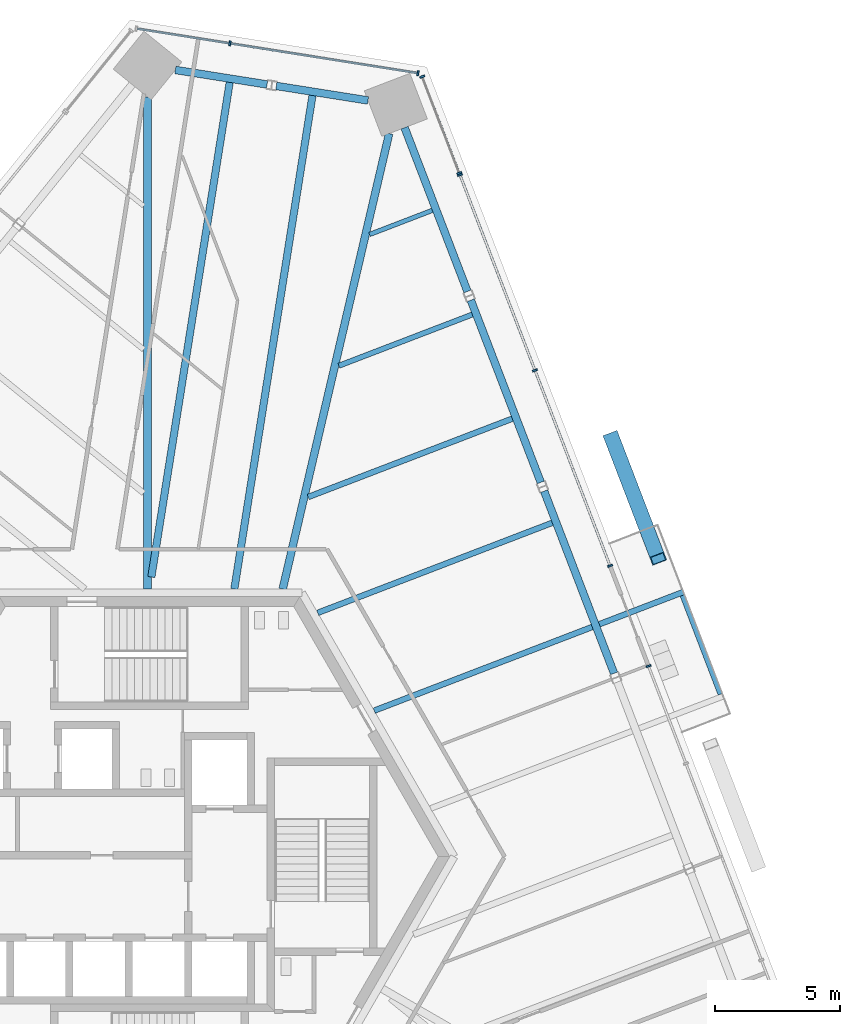
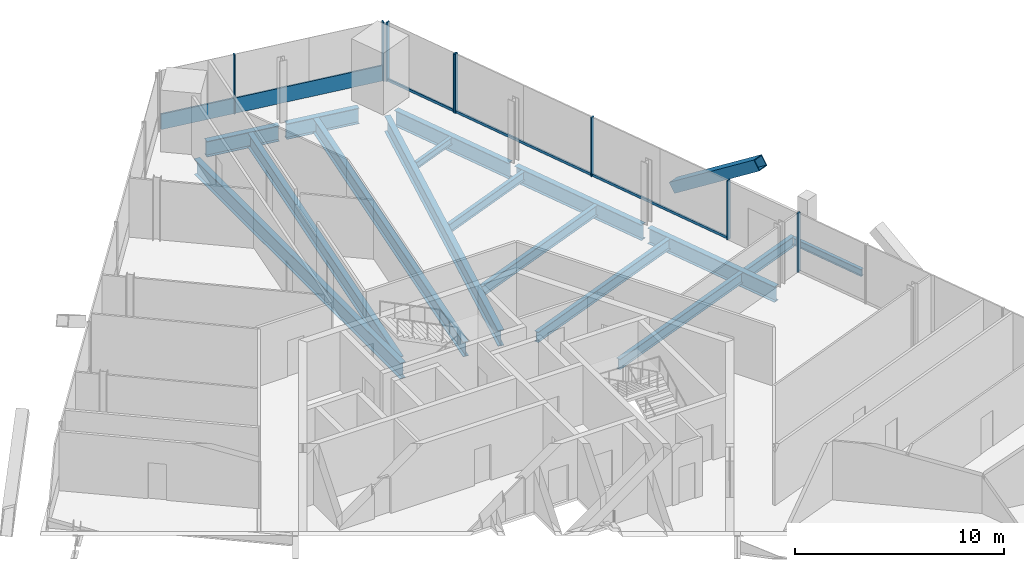
# One storey, part 9 of 19: 16 beams, 14 members, 4 elements without a shape of their own.
"""IFC4 building model written with IfcOpenShell, lengths in metres."""

import ifcopenshell
import ifcopenshell.guid

model = None  # the IFC model being written
_history = None  # IfcOwnerHistory: only IFC2X3 demands one
_inside = {}  # id of a spatial element -> (the spatial element, [elements in it])
_under = {}  # id of a project, library or spatial element -> (it, [spatial elements below it])
_declared = {}  # id of a project -> (the project, [libraries it declares])
_typed = {}  # id of a type object -> (the type object, [elements of that type])
_made_of = {}  # id of a material, layer set ... -> (it, [elements and type objects made of it])


def new_model(schema):
    """Start an empty IFC model of exactly this schema.

    Asked for "IFC4X3", IfcOpenShell would pick the latest addendum, in which some entities
    have other attributes; the version numbers below select the first issue.
    IFC2X3 requires an IfcOwnerHistory on every rooted entity: one is made here for all.
    """
    global model, _history
    if schema == "IFC4X3":
        model = ifcopenshell.file(schema_version=(4, 3, 0, 0))
    else:
        model = ifcopenshell.file(schema=schema)
    _inside.clear()
    _under.clear()
    _declared.clear()
    _typed.clear()
    _made_of.clear()
    _history = None
    if model.schema == "IFC2X3":
        org = make("IfcOrganization", Name="unknown")
        user = make(
            "IfcPersonAndOrganization",
            ThePerson=make("IfcPerson", FamilyName="unknown"),
            TheOrganization=org,
        )
        app = make(
            "IfcApplication",
            ApplicationDeveloper=org,
            Version="unknown",
            ApplicationFullName="unknown",
            ApplicationIdentifier="unknown",
        )
        _history = make(
            "IfcOwnerHistory",
            OwningUser=user,
            OwningApplication=app,
            ChangeAction="ADDED",
            CreationDate=0,
        )
    return model


def make(cls, **values):
    """One entity of the class cls with the attributes given. An attribute that is None is left unset."""
    return model.create_entity(
        cls, **{name: value for name, value in values.items() if value is not None}
    )


def rooted(cls, **values):
    """An entity with a GlobalId (a new one), such as an element, a storey or a relation."""
    return make(cls, GlobalId=ifcopenshell.guid.new(), OwnerHistory=_history, **values)


def si_unit(unit_type, name, prefix=None):
    """IfcSIUnit, for example si_unit("LENGTHUNIT", "METRE", prefix="MILLI")."""
    return make("IfcSIUnit", UnitType=unit_type, Prefix=prefix, Name=name)


def assignment(units):
    """IfcUnitAssignment: the units of a project."""
    return None if units is None else make("IfcUnitAssignment", Units=units)


def point(xyz):
    """IfcCartesianPoint."""
    return None if xyz is None else make("IfcCartesianPoint", Coordinates=xyz)


def direction(xyz):
    """IfcDirection."""
    return None if xyz is None else make("IfcDirection", DirectionRatios=xyz)


def frame(location, z_axis=None, x_axis=None):
    """IfcAxis2Placement3D, a coordinate frame: its origin and axes. An axis left out is left unset."""
    return make(
        "IfcAxis2Placement3D",
        Location=point(location),
        Axis=direction(z_axis),
        RefDirection=direction(x_axis),
    )


def frame_2d(location, x_axis=None):
    """IfcAxis2Placement2D, a coordinate frame in the plane: its origin and x axis."""
    return make(
        "IfcAxis2Placement2D", Location=point(location), RefDirection=direction(x_axis)
    )


def origin():
    """The frame at (0, 0, 0) with its axes left unset."""
    return frame((0.0, 0.0, 0.0))


def origin_2d():
    """The frame at (0, 0) in the plane with its x axis left unset."""
    return frame_2d((0.0, 0.0))


def place(relative_to, where):
    """IfcLocalPlacement: puts the frame where relative to a parent placement (None: the world)."""
    return make(
        "IfcLocalPlacement", PlacementRelTo=relative_to, RelativePlacement=where
    )


def context(
    kind, dimensions, precision=None, world=None, true_north=None, identifier=None
):
    """IfcGeometricRepresentationContext, for example the 3D "Model" context."""
    return make(
        "IfcGeometricRepresentationContext",
        ContextIdentifier=identifier,
        ContextType=kind,
        CoordinateSpaceDimension=dimensions,
        Precision=precision,
        WorldCoordinateSystem=world,
        TrueNorth=true_north,
    )


def subcontext(parent, identifier, kind, view, scale=None):
    """IfcGeometricRepresentationSubContext, for example "Body" below "Model"."""
    return make(
        "IfcGeometricRepresentationSubContext",
        ContextIdentifier=identifier,
        ContextType=kind,
        ParentContext=parent,
        TargetScale=scale,
        TargetView=view,
    )


def project(units=None, contexts=None):
    """IfcProject with its units and contexts."""
    return rooted(
        "IfcProject",
        Name="project",
        RepresentationContexts=contexts,
        UnitsInContext=assignment(units),
    )


def spatial(cls, under=None, at=None, **own):
    """A site, building, storey or space (cls), placed at a placement, below another one or the project."""
    s = rooted(cls, ObjectPlacement=at, **own)
    if under is not None:
        _under.setdefault(under.id(), (under, []))[1].append(s)
    return s


def profile(cls, at=None, kind="AREA", **sizes):
    """A parametric profile (cls). Its sizes go by their IFC names, for example OverallWidth=200.0."""
    return make(cls, ProfileType=kind, Position=at, **sizes)


def rectangle(**sizes):
    """IfcRectangleProfileDef."""
    return profile("IfcRectangleProfileDef", **sizes)


def hollow_rectangle(**sizes):
    """IfcRectangleHollowProfileDef."""
    return profile("IfcRectangleHollowProfileDef", **sizes)


def i_section(**sizes):
    """IfcIShapeProfileDef."""
    return profile("IfcIShapeProfileDef", **sizes)


def extrude(swept, where, along, depth):
    """IfcExtrudedAreaSolid: the profile swept, set in the frame where, extruded along a direction by depth."""
    return make(
        "IfcExtrudedAreaSolid",
        SweptArea=swept,
        Position=where,
        ExtrudedDirection=direction(along),
        Depth=depth,
    )


def shape(context_of_items, identifier, shape_type, items):
    """IfcShapeRepresentation: the items that make up one representation, for example the "Body"."""
    return make(
        "IfcShapeRepresentation",
        ContextOfItems=context_of_items,
        RepresentationIdentifier=identifier,
        RepresentationType=shape_type,
        Items=items,
    )


def source(mapping_origin, context_of_items, identifier, shape_type, items):
    """IfcRepresentationMap: a shape defined once, which mapped items show again and again."""
    return make(
        "IfcRepresentationMap",
        MappingOrigin=mapping_origin,
        MappedRepresentation=shape(context_of_items, identifier, shape_type, items),
    )


def transform(
    local_origin,
    x_axis=None,
    y_axis=None,
    z_axis=None,
    scale=None,
    scale2=None,
    scale3=None,
    uniform=True,
):
    """IfcCartesianTransformationOperator3D, or its non-uniform kind. x_axis, y_axis, z_axis: its Axis1, 2, 3."""
    if uniform:
        return make(
            "IfcCartesianTransformationOperator3D",
            Axis1=direction(x_axis),
            Axis2=direction(y_axis),
            LocalOrigin=point(local_origin),
            Scale=scale,
            Axis3=direction(z_axis),
        )
    return make(
        "IfcCartesianTransformationOperator3DnonUniform",
        Axis1=direction(x_axis),
        Axis2=direction(y_axis),
        LocalOrigin=point(local_origin),
        Scale=scale,
        Axis3=direction(z_axis),
        Scale2=scale2,
        Scale3=scale3,
    )


def mapped(mapping_source, mapping_target):
    """IfcMappedItem: shows the shape of a source again, moved by a transform."""
    return make(
        "IfcMappedItem", MappingSource=mapping_source, MappingTarget=mapping_target
    )


def material(Name=None, Category=None):
    """IfcMaterial."""
    return make("IfcMaterial", Name=Name, Category=Category)


def material_profile(
    of_material, cross_section, Name=None, Category=None, Priority=None
):
    """IfcMaterialProfile: a cross section and its material."""
    return make(
        "IfcMaterialProfile",
        Name=Name,
        Material=of_material,
        Profile=cross_section,
        Priority=Priority,
        Category=Category,
    )


def profile_set(profiles, Name=None, composite=None):
    """IfcMaterialProfileSet."""
    return make(
        "IfcMaterialProfileSet",
        Name=Name,
        MaterialProfiles=profiles,
        CompositeProfile=composite,
    )


def made_of(thing, what):
    """Note that an element or type object is made of a material, layer set ...; save() writes the relation."""
    if what is not None:
        _made_of.setdefault(what.id(), (what, []))[1].append(thing)
    return thing


def type_object(cls, material=None, **own):
    """A type object (cls), such as IfcWallType, which elements share."""
    return made_of(rooted(cls, **own), material)


def element(
    cls,
    number,
    at=None,
    inside=None,
    cuts=None,
    type_object=None,
    material=None,
    context=None,
    identifier="Body",
    shape_type=None,
    held_by="IfcProductDefinitionShape",
    body=None,
    shapes=None,
    **own,
):
    """One element of the class cls, such as IfcWall. Its Tag is "e" and its number.

    at: its placement. inside: the storey or other place that contains it. cuts: it is an
    opening in that element (IfcRelVoidsElement). A single representation is given by context,
    identifier, shape_type and body (its items); several are given by shapes. held_by: the class
    of the entity that holds the representations. save() writes the other relations.
    """
    e = rooted(cls, Tag="e%d" % number, ObjectPlacement=at, **own)
    if body is not None:
        shapes = [shape(context, identifier, shape_type, body)]
    if shapes is not None:
        e.Representation = make(held_by, Representations=shapes)
    if inside is not None:
        _inside.setdefault(inside.id(), (inside, []))[1].append(e)
    if cuts is not None:
        rooted(
            "IfcRelVoidsElement", RelatingBuildingElement=cuts, RelatedOpeningElement=e
        )
    if type_object is not None:
        _typed.setdefault(type_object.id(), (type_object, []))[1].append(e)
    return made_of(e, material)


def aggregate(whole, parts):
    """IfcRelAggregates: a whole, such as a stair, and the parts it consists of."""
    return rooted("IfcRelAggregates", RelatingObject=whole, RelatedObjects=parts)


def save(model, path):
    """Write the relations noted so far, then the file.

    IfcRelAggregates (storeys below a building ...), IfcRelContainedInSpatialStructure (elements
    in a storey), IfcRelDefinesByType, IfcRelAssociatesMaterial and IfcRelDeclares: one each for
    every whole, place, type object, material and project.
    """
    for whole, parts in _under.values():
        aggregate(whole, parts)
    for where, things in _inside.values():
        rooted(
            "IfcRelContainedInSpatialStructure",
            RelatedElements=things,
            RelatingStructure=where,
        )
    for kind, things in _typed.values():
        rooted("IfcRelDefinesByType", RelatedObjects=things, RelatingType=kind)
    for what, things in _made_of.values():
        rooted("IfcRelAssociatesMaterial", RelatedObjects=things, RelatingMaterial=what)
    for by, libraries in _declared.values():
        rooted("IfcRelDeclares", RelatingContext=by, RelatedDefinitions=libraries)
    model.write(path)


model = new_model("IFC4")

# Units and contexts
model_context = context("Model", 3, precision=1e-05, world=origin(), true_north=direction((0.0, 1.0)))
body_context = subcontext(model_context, "Body", "Model", "MODEL_VIEW")
ifc_project = project(units=[si_unit("LENGTHUNIT", "METRE"), si_unit("AREAUNIT", "SQUARE_METRE"), si_unit("VOLUMEUNIT", "CUBIC_METRE"), si_unit("PLANEANGLEUNIT", "RADIAN"), si_unit("MASSUNIT", "GRAM", prefix="KILO")], contexts=[model_context])

# Site, building, storey
site_placement = place(None, origin())
site = spatial("IfcSite", under=ifc_project, at=site_placement, CompositionType="ELEMENT")
building_placement = place(site_placement, origin())
building = spatial("IfcBuilding", under=site, at=building_placement, Name="Triune Harvest Tower", CompositionType="ELEMENT")
storey_placement = place(building_placement, frame((0.0, 0.0, 149.699951171875)))
storey = spatial("IfcBuildingStorey", under=building, at=storey_placement, Name="L38", CompositionType="ELEMENT", Elevation=149.699951171875)

# Curtain wall, member
ifc_material_1 = material(Name="Aluminium bronze anodised", Category="aluminium")
curtain_wall_type_1 = type_object("IfcCurtainWallType", Name="CW-10 Balcony window wall with insulated spandrel infill", PredefinedType="NOTDEFINED", material=ifc_material_1)
curtain_wall_1_placement = place(storey_placement, origin())
curtain_wall_1 = element("IfcCurtainWall", 1, at=curtain_wall_1_placement, inside=storey, type_object=curtain_wall_type_1, Name="CW-10 B4-F1 L38 run 2")
ifc_material_2 = material(Name="Aluminium bronze anodised", Category="aluminium")
ifc_material_profile_1 = material_profile(ifc_material_2, rectangle(XDim=0.090087890625, YDim=0.14990234375, at=origin_2d()), Name="TR-6 transom 90 x 150")
ifc_profile_set_1 = profile_set([ifc_material_profile_1], Name="Aluminium bronze anodised")
member_type_1 = type_object("IfcMemberType", Name="TR-6 transom 90 x 150", PredefinedType="USERDEFINED", material=ifc_profile_set_1)
member_1_placement = place(storey_placement, frame((18.39306640625, 11.662109375, 0.074951171875), z_axis=(-0.358387246002, 0.933573019053, 0.0), x_axis=(-0.933573019053, -0.358387246002, 0.0)))
member_1 = element("IfcMember", 2, at=member_1_placement, type_object=member_type_1, Name="CW-10 transom B4-F1 2.1", ObjectType="TRANSOM", PredefinedType="USERDEFINED", context=body_context, shape_type="SweptSolid", body=[
    extrude(rectangle(XDim=0.090087890625, YDim=0.14990234375, at=origin_2d()), origin(), (0.0, 0.0, 1.0), 8.2939453125),
])

ifc_material_3 = material(Name="Aluminium bronze anodised", Category="aluminium")
curtain_wall_type_2 = type_object("IfcCurtainWallType", Name="CW-6 Balcony window wall", PredefinedType="NOTDEFINED", material=ifc_material_3)
curtain_wall_2_placement = place(storey_placement, origin())
curtain_wall_2 = element("IfcCurtainWall", 3, at=curtain_wall_2_placement, inside=storey, type_object=curtain_wall_type_2, Name="CW-6 B4-F1 L38 run 1002")
member_2_placement = place(storey_placement, frame((12.367919921875, 27.35791015625, 0.074951171875), z_axis=(-0.358393743025, 0.933570524899, 0.0), x_axis=(-0.933570524899, -0.358393743025, 0.0)))
member_2 = element("IfcMember", 4, at=member_2_placement, type_object=member_type_1, Name="CW-6 transom B4-F1 1002.1", ObjectType="TRANSOM", PredefinedType="USERDEFINED", context=body_context, shape_type="SweptSolid", body=[
    extrude(rectangle(XDim=0.090087890625, YDim=0.14990234375, at=origin_2d()), origin(), (0.0, 0.0, 1.0), 4.05322265625),
])

# Beams
ifc_material_4 = material(Name="Steel ASTM A992 Gr 50", Category="steel")
ifc_material_profile_2 = material_profile(ifc_material_4, i_section(OverallWidth=0.3046875, OverallDepth=0.914306640625, WebThickness=0.0166015625, FlangeThickness=0.02587890625, at=origin_2d()), Name="W36x160")
ifc_profile_set_2 = profile_set([ifc_material_profile_2], Name="Steel ASTM A992 Gr 50")
beam_type_1 = type_object("IfcBeamType", Name="SB-1 Spandrel beam W36x160", PredefinedType="SPANDREL", material=ifc_profile_set_2)
shared_shape_1 = source(origin(), body_context, "Body", "SweptSolid", [
    extrude(i_section(OverallWidth=0.3046875, OverallDepth=0.914306640625, WebThickness=0.0166015625, FlangeThickness=0.02587890625, at=origin_2d()), origin(), (0.0, 0.0, 1.0), 7.013427734375),
])
beam_1_placement = place(storey_placement, frame((12.709716796875, 22.592041015625, -0.6171875), z_axis=(-0.358372513984, 0.93357867436, 0.0), x_axis=(-0.93357867436, -0.358372513984, 0.0)))
element("IfcBeam", 5, at=beam_1_placement, inside=storey, type_object=beam_type_1, Name="beam/L38/SB6", PredefinedType="SPANDREL", context=body_context, shape_type="MappedRepresentation", body=[
    mapped(shared_shape_1, transform((0.0, 0.0, 0.0), scale=1.0)),
])
shared_shape_2 = source(origin(), body_context, "Body", "SweptSolid", [
    extrude(i_section(OverallWidth=0.3046875, OverallDepth=0.914306640625, WebThickness=0.0166015625, FlangeThickness=0.02587890625, at=origin_2d()), origin(), (0.0, 0.0, 1.0), 7.8017578125),
])
for number, where, z_axis, x_axis, name in (
    (6, (18.569091796875, 7.327880859375, -0.6171875), (-0.358372974677, 0.933578497514, 0.0), (-0.933578497514, -0.358372974677, 0.0), "beam/L38/SB4"),
    (7, (15.639404296875, 14.9599609375, -0.6171875), (-0.358372974677, 0.933578497514, 0.0), (-0.933578497514, -0.358372974677, 0.0), "beam/L38/SB5"),
):
    element("IfcBeam", number, at=place(storey_placement, frame(where, z_axis=z_axis, x_axis=x_axis)), inside=storey, type_object=beam_type_1, Name=name, PredefinedType="SPANDREL", context=body_context, shape_type="MappedRepresentation", body=[
        mapped(shared_shape_2, transform((0.0, 0.0, 0.0), scale=1.0)),
    ])
shared_shape_3 = source(origin(), body_context, "Body", "SweptSolid", [
    extrude(i_section(OverallWidth=0.3046875, OverallDepth=0.914306640625, WebThickness=0.0166015625, FlangeThickness=0.02587890625, at=origin_2d()), origin(), (0.0, 0.0, 1.0), 3.71240234375),
])
for number, where, z_axis, x_axis, name in (
    (8, (8.735107421875, 30.225830078125, -0.6171875), (-0.987686063537, 0.156448841145, 0.0), (-0.156448841145, -0.987686063537, 0.0), "beam/L38/SB7"),
    (9, (4.699462890625, 30.864990234375, -0.6171875), (-0.987686063537, 0.156448841145, 0.0), (-0.156448841145, -0.987686063537, 0.0), "beam/L38/SB8"),
):
    element("IfcBeam", number, at=place(storey_placement, frame(where, z_axis=z_axis, x_axis=x_axis)), inside=storey, type_object=beam_type_1, Name=name, PredefinedType="SPANDREL", context=body_context, shape_type="MappedRepresentation", body=[
        mapped(shared_shape_3, transform((0.0, 0.0, 0.0), scale=1.0)),
    ])
ifc_material_5 = material(Name="Steel ASTM A992 Gr 50", Category="steel")
ifc_material_profile_3 = material_profile(ifc_material_5, i_section(OverallWidth=0.307373046875, OverallDepth=0.922119140625, WebThickness=0.018310546875, FlangeThickness=0.030029296875, at=origin_2d()), Name="W36x182")
ifc_profile_set_3 = profile_set([ifc_material_profile_3], Name="Steel ASTM A992 Gr 50")
beam_type_2 = type_object("IfcBeamType", Name="HG-2 Hip girder W36x182", PredefinedType="BEAM", material=ifc_profile_set_3)
shared_shape_4 = source(origin(), body_context, "Body", "SweptSolid", [
    extrude(i_section(OverallWidth=0.307373046875, OverallDepth=0.922119140625, WebThickness=0.018310546875, FlangeThickness=0.030029296875, at=origin_2d()), origin(), (0.0, 0.0, 1.0), 18.6962890625),
])
beam_2_placement = place(storey_placement, frame((9.578857421875, 28.902587890625, -0.620849609375), z_axis=(-0.227605246905, -0.973753486043, 0.0), x_axis=(0.973753486043, -0.227605246905, 0.0)))
element("IfcBeam", 10, at=beam_2_placement, inside=storey, type_object=beam_type_2, Name="beam/L38/HG3", PredefinedType="BEAM", context=body_context, shape_type="MappedRepresentation", body=[
    mapped(shared_shape_4, transform((0.0, 0.0, 0.0), scale=1.0)),
])
shared_shape_5 = source(origin(), body_context, "Body", "SweptSolid", [
    extrude(i_section(OverallWidth=0.307373046875, OverallDepth=0.922119140625, WebThickness=0.018310546875, FlangeThickness=0.030029296875, at=origin_2d()), origin(), (0.0, 0.0, 1.0), 19.670166015625),
])
beam_3_placement = place(storey_placement, frame((-0.0791015625, 30.3671875, -0.620849609375), z_axis=(0.0, -1.0, 0.0), x_axis=(1.0, 0.0, 0.0)))
element("IfcBeam", 11, at=beam_3_placement, inside=storey, type_object=beam_type_2, Name="beam/L38/HG4", PredefinedType="BEAM", context=body_context, shape_type="MappedRepresentation", body=[
    mapped(shared_shape_5, transform((0.0, 0.0, 0.0), scale=1.0)),
])
ifc_material_6 = material(Name="Steel ASTM A992 Gr 50", Category="steel")
ifc_material_profile_4 = material_profile(ifc_material_6, i_section(OverallWidth=0.22900390625, OverallDepth=0.612060546875, WebThickness=0.011962890625, FlangeThickness=0.01953125, at=origin_2d()), Name="W24x84")
ifc_profile_set_4 = profile_set([ifc_material_profile_4], Name="Steel ASTM A992 Gr 50")
beam_type_3 = type_object("IfcBeamType", Name="JT-3 Floor joist W24x84", PredefinedType="JOIST", material=ifc_profile_set_4)
shared_shape_6 = source(origin(), body_context, "Body", "SweptSolid", [
    extrude(i_section(OverallWidth=0.22900390625, OverallDepth=0.612060546875, WebThickness=0.011962890625, FlangeThickness=0.01953125, at=origin_2d()), origin(), (0.0, 0.0, 1.0), 9.33203125),
])
beam_4_placement = place(storey_placement, frame((17.694580078125, 9.180419921875, -0.466064453125), z_axis=(-0.933582072806, -0.358363660734, 0.0), x_axis=(0.358363660734, -0.933582072806, 0.0)))
element("IfcBeam", 12, at=beam_4_placement, inside=storey, type_object=beam_type_3, Name="beam/L38/JT6", PredefinedType="JOIST", context=body_context, shape_type="MappedRepresentation", body=[
    mapped(shared_shape_6, transform((0.0, 0.0, 0.0), scale=1.0)),
])
shared_shape_7 = source(origin(), body_context, "Body", "SweptSolid", [
    extrude(i_section(OverallWidth=0.22900390625, OverallDepth=0.612060546875, WebThickness=0.011962890625, FlangeThickness=0.01953125, at=origin_2d()), origin(), (0.0, 0.0, 1.0), 10.038330078125),
])
beam_5_placement = place(storey_placement, frame((16.0966796875, 13.343505859375, -0.466064453125), z_axis=(-0.933580465952, -0.358367846762, 0.0), x_axis=(0.358367846762, -0.933580465952, 0.0)))
element("IfcBeam", 13, at=beam_5_placement, inside=storey, type_object=beam_type_3, Name="beam/L38/JT7", PredefinedType="JOIST", context=body_context, shape_type="MappedRepresentation", body=[
    mapped(shared_shape_7, transform((0.0, 0.0, 0.0), scale=1.0)),
])
shared_shape_8 = source(origin(), body_context, "Body", "SweptSolid", [
    extrude(i_section(OverallWidth=0.22900390625, OverallDepth=0.612060546875, WebThickness=0.011962890625, FlangeThickness=0.01953125, at=origin_2d()), origin(), (0.0, 0.0, 1.0), 8.738037109375),
])
beam_6_placement = place(storey_placement, frame((14.498779296875, 17.50634765625, -0.466064453125), z_axis=(-0.933584472757, -0.358357408499, 0.0), x_axis=(0.358357408499, -0.933584472757, 0.0)))
element("IfcBeam", 14, at=beam_6_placement, inside=storey, type_object=beam_type_3, Name="beam/L38/JT8", PredefinedType="JOIST", context=body_context, shape_type="MappedRepresentation", body=[
    mapped(shared_shape_8, transform((0.0, 0.0, 0.0), scale=1.0)),
])
ifc_material_7 = material(Name="Steel ASTM A992 Gr 50", Category="steel")
ifc_material_profile_5 = material_profile(ifc_material_7, i_section(OverallWidth=0.2099609375, OverallDepth=0.535888671875, WebThickness=0.010986328125, FlangeThickness=0.017333984375, at=origin_2d()), Name="W21x68")
ifc_profile_set_5 = profile_set([ifc_material_profile_5], Name="Steel ASTM A992 Gr 50")
beam_type_4 = type_object("IfcBeamType", Name="JT-2 Floor joist W21x68", PredefinedType="JOIST", material=ifc_profile_set_5)
shared_shape_9 = source(origin(), body_context, "Body", "SweptSolid", [
    extrude(i_section(OverallWidth=0.2099609375, OverallDepth=0.535888671875, WebThickness=0.010986328125, FlangeThickness=0.017333984375, at=origin_2d()), origin(), (0.0, 0.0, 1.0), 5.712890625),
])
beam_7_placement = place(storey_placement, frame((12.90087890625, 21.669189453125, -0.427978515625), z_axis=(-0.933593203906, -0.358334661483, 0.0), x_axis=(0.358334661483, -0.933593203906, 0.0)))
element("IfcBeam", 15, at=beam_7_placement, inside=storey, type_object=beam_type_4, Name="beam/L38/JT9", PredefinedType="JOIST", context=body_context, shape_type="MappedRepresentation", body=[
    mapped(shared_shape_9, transform((0.0, 0.0, 0.0), scale=1.0)),
])
ifc_material_8 = material(Name="Steel ASTM A992 Gr 50", Category="steel")
ifc_material_profile_6 = material_profile(ifc_material_8, i_section(OverallWidth=0.180908203125, OverallDepth=0.41650390625, WebThickness=0.010986328125, FlangeThickness=0.01806640625, at=origin_2d()), Name="W16x57")
ifc_profile_set_6 = profile_set([ifc_material_profile_6], Name="Steel ASTM A992 Gr 50")
beam_type_5 = type_object("IfcBeamType", Name="JT-1 Floor joist W16x57", PredefinedType="JOIST", material=ifc_profile_set_6)
shared_shape_10 = source(origin(), body_context, "Body", "SweptSolid", [
    extrude(i_section(OverallWidth=0.180908203125, OverallDepth=0.41650390625, WebThickness=0.010986328125, FlangeThickness=0.01806640625, at=origin_2d()), origin(), (0.0, 0.0, 1.0), 2.687255859375),
])
beam_8_placement = place(storey_placement, frame((11.302734375, 25.832275390625, -0.3681640625), z_axis=(-0.933567867424, -0.358400665336, 0.0), x_axis=(0.358400665336, -0.933567867424, 0.0)))
element("IfcBeam", 16, at=beam_8_placement, inside=storey, type_object=beam_type_5, Name="beam/L38/JT10", PredefinedType="JOIST", context=body_context, shape_type="MappedRepresentation", body=[
    mapped(shared_shape_10, transform((0.0, 0.0, 0.0), scale=1.0)),
])
ifc_material_9 = material(Name="Steel ASTM A992 Gr 50", Category="steel")
ifc_material_profile_7 = material_profile(ifc_material_9, i_section(OverallWidth=0.2919921875, OverallDepth=0.8583984375, WebThickness=0.01708984375, FlangeThickness=0.031005859375, at=origin_2d()), Name="W33x169")
ifc_profile_set_7 = profile_set([ifc_material_profile_7], Name="Steel ASTM A992 Gr 50")
beam_type_6 = type_object("IfcBeamType", Name="JT-7 Floor joist W33x169", PredefinedType="JOIST", material=ifc_profile_set_7)
shared_shape_11 = source(origin(), body_context, "Body", "SweptSolid", [
    extrude(i_section(OverallWidth=0.2919921875, OverallDepth=0.8583984375, WebThickness=0.01708984375, FlangeThickness=0.031005859375, at=origin_2d()), origin(), (0.0, 0.0, 1.0), 19.97216796875),
])
beam_9_placement = place(storey_placement, frame((6.514404296875, 30.42333984375, -0.58935546875), z_axis=(-0.15643083518, -0.987688915502, 0.0), x_axis=(0.987688915502, -0.15643083518, 0.0)))
element("IfcBeam", 17, at=beam_9_placement, inside=storey, type_object=beam_type_6, Name="beam/L38/JT11", PredefinedType="JOIST", context=body_context, shape_type="MappedRepresentation", body=[
    mapped(shared_shape_11, transform((0.0, 0.0, 0.0), scale=1.0)),
])
shared_shape_12 = source(origin(), body_context, "Body", "SweptSolid", [
    extrude(i_section(OverallWidth=0.2919921875, OverallDepth=0.8583984375, WebThickness=0.01708984375, FlangeThickness=0.031005859375, at=origin_2d()), origin(), (0.0, 0.0, 1.0), 20.016845703125),
])
beam_10_placement = place(storey_placement, frame((3.205810546875, 30.947509765625, -0.58935546875), z_axis=(-0.156434798458, -0.987688287787, 0.0), x_axis=(0.987688287787, -0.156434798458, 0.0)))
element("IfcBeam", 18, at=beam_10_placement, inside=storey, type_object=beam_type_6, Name="beam/L38/JT12", PredefinedType="JOIST", context=body_context, shape_type="MappedRepresentation", body=[
    mapped(shared_shape_12, transform((0.0, 0.0, 0.0), scale=1.0)),
])

# Member
ifc_material_10 = material(Name="Steel ASTM A572 Gr 50", Category="steel")
ifc_material_profile_8 = material_profile(ifc_material_10, hollow_rectangle(XDim=0.60009765625, YDim=0.60009765625, WallThickness=0.0400390625, at=origin_2d()), Name="Box 600x600x40")
ifc_profile_set_8 = profile_set([ifc_material_profile_8], Name="Steel ASTM A572 Gr 50")
member_type_2 = type_object("IfcMemberType", Name="BR-2 Brace Box 600x600x40", PredefinedType="BRACE", material=ifc_profile_set_8)
shared_shape_13 = source(origin(), body_context, "Body", "SweptSolid", [
    extrude(hollow_rectangle(XDim=0.60009765625, YDim=0.60009765625, WallThickness=0.0400390625, at=origin_2d()), origin(), (0.0, 0.0, 1.0), 6.329345703125),
])
member_3_placement = place(storey_placement, frame((18.46728515625, 16.7705078125, 0.0), z_axis=(0.294732088539, -0.76786175717, 0.568789344011), x_axis=(0.933589547675, 0.35834418716, 0.0)))
element("IfcMember", 19, at=member_3_placement, inside=storey, type_object=member_type_2, Name="brace/B4-F1/d2/4", PredefinedType="BRACE", context=body_context, shape_type="MappedRepresentation", body=[
    mapped(shared_shape_13, transform((0.0, 0.0, 0.0), scale=1.0)),
])

# Curtain wall, members
ifc_material_11 = material(Name="Aluminium bronze anodised", Category="aluminium")
curtain_wall_type_3 = type_object("IfcCurtainWallType", Name="CW-1 Tower stick curtain wall", PredefinedType="NOTDEFINED", material=ifc_material_11)
curtain_wall_3_placement = place(storey_placement, origin())
curtain_wall_3 = element("IfcCurtainWall", 20, at=curtain_wall_3_placement, inside=storey, type_object=curtain_wall_type_3, Name="CW-1 B4-F2 L38 run 1")
ifc_material_12 = material(Name="Aluminium bronze anodised", Category="aluminium")
ifc_material_profile_9 = material_profile(ifc_material_12, rectangle(XDim=0.199951171875, YDim=0.074951171875, at=origin_2d()), Name="MU-1 mullion 75 x 200")
ifc_profile_set_9 = profile_set([ifc_material_profile_9], Name="Aluminium bronze anodised")
member_type_3 = type_object("IfcMemberType", Name="MU-1 mullion 75 x 200", PredefinedType="MULLION", material=ifc_profile_set_9)
shared_shape_14 = source(origin(), body_context, "Body", "SweptSolid", [
    extrude(rectangle(XDim=0.199951171875, YDim=0.074951171875, at=origin_2d()), origin(), (0.0, 0.0, 1.0), 3.43994140625),
])
member_4_placement = place(storey_placement, frame((10.730224609375, 31.31591796875, 0.0), z_axis=(0.0, 0.0, 1.0), x_axis=(-0.156432728322, -0.987688615663, 0.0)))
member_4 = element("IfcMember", 21, at=member_4_placement, type_object=member_type_3, Name="CW-1 mullion B4-F2 1.1", PredefinedType="MULLION", context=body_context, shape_type="MappedRepresentation", body=[
    mapped(shared_shape_14, transform((0.0, 0.0, 0.0), scale=1.0)),
])
member_5_placement = place(storey_placement, frame((3.21240234375, 32.506591796875, 0.0), z_axis=(0.0, 0.0, 1.0), x_axis=(-0.156432728322, -0.987688615663, 0.0)))
member_5 = element("IfcMember", 22, at=member_5_placement, type_object=member_type_3, Name="CW-1 mullion B4-F2 1.3", PredefinedType="MULLION", context=body_context, shape_type="MappedRepresentation", body=[
    mapped(shared_shape_14, transform((0.0, 0.0, 0.0), scale=1.0)),
])

# Curtain wall, member
curtain_wall_4_placement = place(storey_placement, origin())
curtain_wall_4 = element("IfcCurtainWall", 23, at=curtain_wall_4_placement, inside=storey, type_object=curtain_wall_type_1, Name="CW-10 B4-F1 L38 run 1001")
ifc_material_13 = material(Name="Aluminium bronze anodised", Category="aluminium")
ifc_material_profile_10 = material_profile(ifc_material_13, rectangle(XDim=0.199951171875, YDim=0.074951171875, at=origin_2d()), Name="MU-6 mullion 75 x 200")
ifc_profile_set_10 = profile_set([ifc_material_profile_10], Name="Aluminium bronze anodised")
member_type_4 = type_object("IfcMemberType", Name="MU-6 mullion 75 x 200", PredefinedType="MULLION", material=ifc_profile_set_10)
shared_shape_15 = source(origin(), body_context, "Body", "SweptSolid", [
    extrude(rectangle(XDim=0.199951171875, YDim=0.074951171875, at=origin_2d()), origin(), (0.0, 0.0, 1.0), 3.43994140625),
])
member_6_placement = place(storey_placement, frame((19.946044921875, 7.616455078125, 0.0), z_axis=(0.0, 0.0, 1.0), x_axis=(-0.933579785245, -0.35836962006, 0.0)))
member_6 = element("IfcMember", 24, at=member_6_placement, type_object=member_type_4, Name="CW-10 mullion B4-F1 1001.6", PredefinedType="MULLION", context=body_context, shape_type="MappedRepresentation", body=[
    mapped(shared_shape_15, transform((0.0, 0.0, 0.0), scale=1.0)),
])
aggregate(curtain_wall_4, [member_6])

# Member
member_7_placement = place(storey_placement, frame((18.406494140625, 11.627197265625, 0.0), z_axis=(0.0, 0.0, 1.0), x_axis=(-0.933579250746, -0.358371012467, 0.0)))
member_7 = element("IfcMember", 25, at=member_7_placement, type_object=member_type_4, Name="CW-10 mullion B4-F1 2.1", PredefinedType="MULLION", context=body_context, shape_type="MappedRepresentation", body=[
    mapped(shared_shape_15, transform((0.0, 0.0, 0.0), scale=1.0)),
])

member_8_placement = place(storey_placement, frame((15.4072265625, 19.440185546875, 0.0), z_axis=(0.0, 0.0, 1.0), x_axis=(-0.933579250746, -0.358371012467, 0.0)))
member_8 = element("IfcMember", 26, at=member_8_placement, type_object=member_type_4, Name="CW-10 mullion B4-F1 2.3", PredefinedType="MULLION", context=body_context, shape_type="MappedRepresentation", body=[
    mapped(shared_shape_15, transform((0.0, 0.0, 0.0), scale=1.0)),
])

member_9_placement = place(storey_placement, frame((12.408203125, 27.2529296875, 0.0), z_axis=(0.0, 0.0, 1.0), x_axis=(-0.933579250746, -0.358371012467, 0.0)))
member_9 = element("IfcMember", 27, at=member_9_placement, type_object=member_type_4, Name="CW-10 mullion B4-F1 2.5", PredefinedType="MULLION", context=body_context, shape_type="MappedRepresentation", body=[
    mapped(shared_shape_15, transform((0.0, 0.0, 0.0), scale=1.0)),
])

member_10_placement = place(storey_placement, frame((12.38134765625, 27.322998046875, 0.0), z_axis=(0.0, 0.0, 1.0), x_axis=(-0.933582590694, -0.358362311569, 0.0)))
member_10 = element("IfcMember", 28, at=member_10_placement, type_object=member_type_4, Name="CW-6 mullion B4-F1 1002.1", PredefinedType="MULLION", context=body_context, shape_type="MappedRepresentation", body=[
    mapped(shared_shape_15, transform((0.0, 0.0, 0.0), scale=1.0)),
])

member_11_placement = place(storey_placement, frame((10.90185546875, 31.177001953125, 0.0), z_axis=(0.0, 0.0, 1.0), x_axis=(-0.933582590694, -0.358362311569, 0.0)))
member_11 = element("IfcMember", 29, at=member_11_placement, type_object=member_type_4, Name="CW-6 mullion B4-F1 1002.2", PredefinedType="MULLION", context=body_context, shape_type="MappedRepresentation", body=[
    mapped(shared_shape_15, transform((0.0, 0.0, 0.0), scale=1.0)),
])

aggregate(curtain_wall_2, [member_10, member_11, member_2])

# Beam
ifc_material_14 = material(Name="Steel ASTM A992 Gr 50", Category="steel")
ifc_material_profile_11 = material_profile(ifc_material_14, i_section(OverallWidth=0.22900390625, OverallDepth=0.612060546875, WebThickness=0.011962890625, FlangeThickness=0.01953125, at=origin_2d()), Name="W24x84")
ifc_profile_set_11 = profile_set([ifc_material_profile_11], Name="Steel ASTM A992 Gr 50")
beam_type_7 = type_object("IfcBeamType", Name="BJ-3 Balcony cantilever joist W24x84", PredefinedType="JOIST", material=ifc_profile_set_11)
shared_shape_16 = source(origin(), body_context, "Body", "SweptSolid", [
    extrude(i_section(OverallWidth=0.22900390625, OverallDepth=0.612060546875, WebThickness=0.011962890625, FlangeThickness=0.01953125, at=origin_2d()), origin(), (0.0, 0.0, 1.0), 3.59765625),
])
beam_11_placement = place(storey_placement, frame((17.979248046875, 9.289794921875, -0.466064453125), z_axis=(0.933576283592, 0.358378741997, 0.0), x_axis=(-0.358378741997, 0.933576283592, 0.0)))
element("IfcBeam", 30, at=beam_11_placement, inside=storey, type_object=beam_type_7, Name="Balcony cantilever joist B4-F1 L38.7a", PredefinedType="JOIST", context=body_context, shape_type="MappedRepresentation", body=[
    mapped(shared_shape_16, transform((0.0, 0.0, 0.0), scale=1.0)),
])

# Member
ifc_material_15 = material(Name="Aluminium bronze anodised", Category="aluminium")
ifc_material_profile_12 = material_profile(ifc_material_15, rectangle(XDim=0.090087890625, YDim=0.89990234375, at=origin_2d()), Name="TR-1 transom 90 x 900")
ifc_profile_set_12 = profile_set([ifc_material_profile_12], Name="Aluminium bronze anodised")
member_type_5 = type_object("IfcMemberType", Name="TR-1 transom 90 x 900", PredefinedType="USERDEFINED", material=ifc_profile_set_12)
shared_shape_17 = source(origin(), body_context, "Body", "SweptSolid", [
    extrude(rectangle(XDim=0.090087890625, YDim=0.89990234375, at=origin_2d()), origin(), (0.0, 0.0, 1.0), 7.536376953125),
])
member_12_placement = place(storey_placement, frame((10.693115234375, 31.32177734375, 0.449951171875), z_axis=(-0.987688256511, 0.156434995923, 0.0), x_axis=(-0.156434995923, -0.987688256511, 0.0)))
member_12 = element("IfcMember", 31, at=member_12_placement, type_object=member_type_5, Name="CW-1 transom B4-F2 1.1", ObjectType="TRANSOM", PredefinedType="USERDEFINED", context=body_context, shape_type="MappedRepresentation", body=[
    mapped(shared_shape_17, transform((0.0, 0.0, 0.0), scale=1.0)),
])

shared_shape_18 = source(origin(), body_context, "Body", "SweptSolid", [
    extrude(rectangle(XDim=0.090087890625, YDim=0.89990234375, at=origin_2d()), origin(), (0.0, 0.0, 1.0), 3.7119140625),
])
member_13_placement = place(storey_placement, frame((3.17529296875, 32.512451171875, 0.449951171875), z_axis=(-0.987682843675, 0.156469167284, 0.0), x_axis=(-0.156469167284, -0.987682843675, 0.0)))
member_13 = element("IfcMember", 32, at=member_13_placement, type_object=member_type_5, Name="CW-1 transom B4-F2 1.2", ObjectType="TRANSOM", PredefinedType="USERDEFINED", context=body_context, shape_type="MappedRepresentation", body=[
    mapped(shared_shape_18, transform((0.0, 0.0, 0.0), scale=1.0)),
])

aggregate(curtain_wall_3, [member_4, member_5, member_12, member_13])

# Beam
ifc_material_16 = material(Name="Steel ASTM A992 Gr 50", Category="steel")
ifc_material_profile_13 = material_profile(ifc_material_16, i_section(OverallWidth=0.180908203125, OverallDepth=0.41650390625, WebThickness=0.010986328125, FlangeThickness=0.01806640625, at=origin_2d()), Name="W16x57")
ifc_profile_set_13 = profile_set([ifc_material_profile_13], Name="Steel ASTM A992 Gr 50")
beam_type_8 = type_object("IfcBeamType", Name="BE-1 balcony edge beam W16x57", PredefinedType="BEAM", material=ifc_profile_set_13)
shared_shape_19 = source(origin(), body_context, "Body", "SweptSolid", [
    extrude(i_section(OverallWidth=0.180908203125, OverallDepth=0.41650390625, WebThickness=0.010986328125, FlangeThickness=0.01806640625, at=origin_2d()), origin(), (0.0, 0.0, 1.0), 4.230224609375),
])
beam_12_placement = place(storey_placement, frame((21.294677734375, 10.439697265625, -0.3681640625), z_axis=(0.358348601672, -0.93358785322, 0.0), x_axis=(0.93358785322, 0.358348601672, 0.0)))
element("IfcBeam", 33, at=beam_12_placement, inside=storey, type_object=beam_type_8, Name="Balcony edge beam B4-F1 L38.7", PredefinedType="BEAM", context=body_context, shape_type="MappedRepresentation", body=[
    mapped(shared_shape_19, transform((0.0, 0.0, 0.0), scale=1.0)),
])

# Member
shared_shape_20 = source(origin(), body_context, "Body", "SweptSolid", [
    extrude(rectangle(XDim=0.090087890625, YDim=0.14990234375, at=origin_2d()), origin(), (0.0, 0.0, 1.0), 8.293701171875),
])
member_14_placement = place(storey_placement, frame((15.393798828125, 19.47509765625, 0.074951171875), z_axis=(-0.358361590115, 0.933582867629, 0.0), x_axis=(-0.933582867629, -0.358361590115, 0.0)))
member_14 = element("IfcMember", 34, at=member_14_placement, type_object=member_type_1, Name="CW-10 transom B4-F1 2.2", ObjectType="TRANSOM", PredefinedType="USERDEFINED", context=body_context, shape_type="MappedRepresentation", body=[
    mapped(shared_shape_20, transform((0.0, 0.0, 0.0), scale=1.0)),
])

aggregate(curtain_wall_1, [member_7, member_8, member_9, member_1, member_14])

save(model, "model.ifc")
